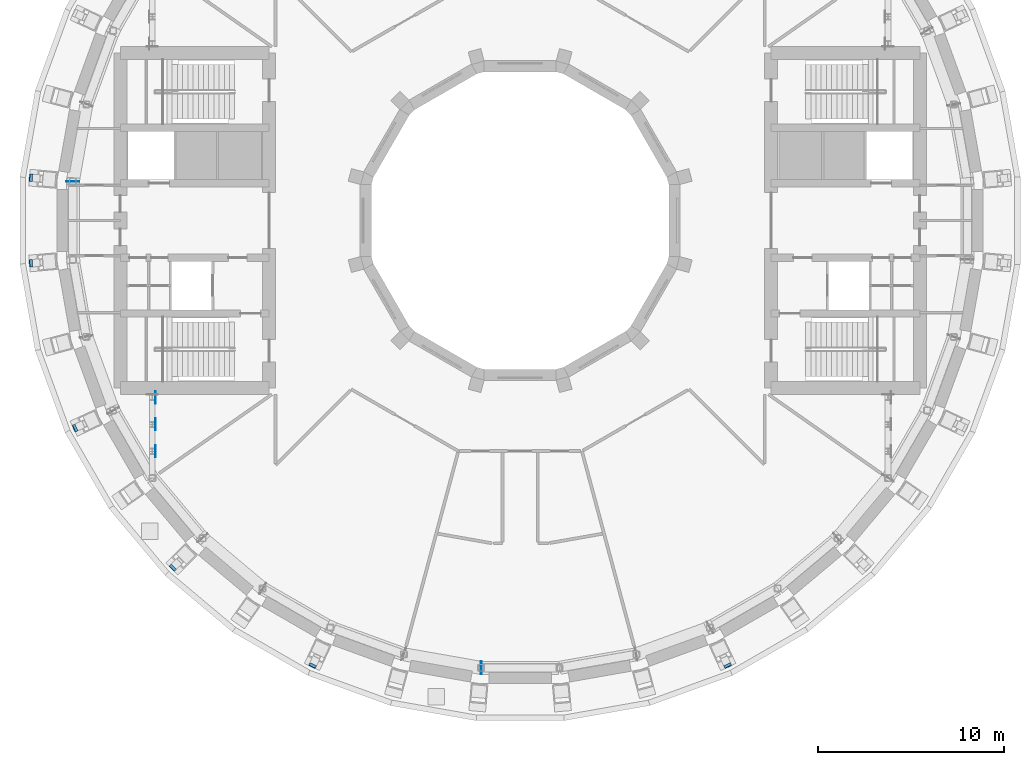
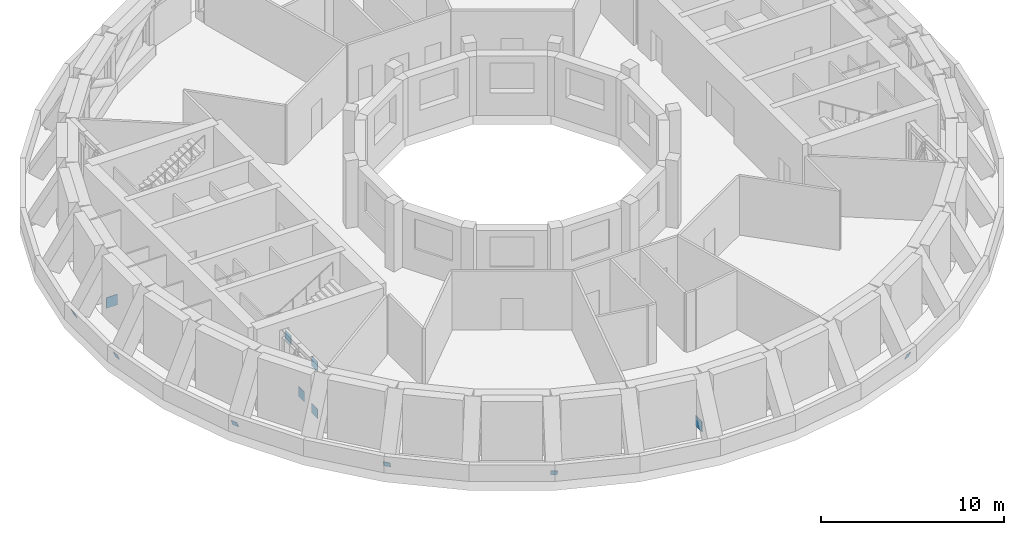
# One storey, part 17 of 20: 12 discrete accessories.
"""IFC4 building model written with IfcOpenShell, lengths in metres."""

from ifc_helpers import new_model, si_unit, direction, frame, origin, origin_2d, place, context, subcontext, project, spatial, rectangle, extrude, material, material_profile, profile_set, type_object, element, save


model = new_model("IFC4")

# Units and contexts
model_context = context("Model", 3, precision=1e-05, world=origin(), true_north=direction((0.0, 1.0)))
body_context = subcontext(model_context, "Body", "Model", "MODEL_VIEW")
ifc_project = project(units=[si_unit("LENGTHUNIT", "METRE"), si_unit("AREAUNIT", "SQUARE_METRE"), si_unit("VOLUMEUNIT", "CUBIC_METRE"), si_unit("PLANEANGLEUNIT", "RADIAN"), si_unit("MASSUNIT", "GRAM", prefix="KILO")], contexts=[model_context])

# Site, building, storey
site_placement = place(None, origin())
site = spatial("IfcSite", under=ifc_project, at=site_placement, CompositionType="ELEMENT")
building_placement = place(site_placement, origin())
building = spatial("IfcBuilding", under=site, at=building_placement, Name="Saqina Gate Tower", CompositionType="ELEMENT")
storey_placement = place(building_placement, frame((0.0, 0.0, 151.300048828125)))
storey = spatial("IfcBuildingStorey", under=building, at=storey_placement, Name="L43", CompositionType="ELEMENT", Elevation=151.300048828125)

# Discrete accessories
ifc_material_1 = material(Name="Steel S460", Category="steel")
ifc_material_profile_1 = material_profile(ifc_material_1, rectangle(XDim=0.39990234375, YDim=0.39990234375, at=origin_2d()), Name="STR-END PLATE-BOX 400x400x30")
ifc_profile_set_1 = profile_set([ifc_material_profile_1], Name="Steel S460")
discrete_accessory_type_1 = type_object("IfcDiscreteAccessoryType", Name="STR-END PLATE-BOX 400x400x30", PredefinedType="USERDEFINED", material=ifc_profile_set_1)
for number, where, z_axis, x_axis, name in (
    (1, (-26.299560546875, 2.301025390625, 0.185302734375), (-0.923688577389, 0.073568116783, -0.376014819114), (0.079394674954, 0.996843260292, -1.9407e-07), "END PLATE NODE TIE BEAM L43 18 FOOT START"),
    (2, (-26.299560546875, -2.301025390625, 0.185302734375), (-0.923688577389, -0.073568116783, -0.376014819114), (-0.079394674954, 0.996843260292, 1.9407e-07), "END PLATE NODE TIE BEAM L43 19 FOOT START"),
):
    element("IfcDiscreteAccessory", number, at=place(storey_placement, frame(where, z_axis=z_axis, x_axis=x_axis)), inside=storey, type_object=discrete_accessory_type_1, Name=name, ObjectType="END PLATE", PredefinedType="USERDEFINED", context=body_context, shape_type="SweptSolid", body=[
        extrude(rectangle(XDim=0.39990234375, YDim=0.39990234375, at=origin_2d()), origin(), (0.0, 0.0, 1.0), 0.02978515625),
    ])
discrete_accessory_1_placement = place(storey_placement, frame((-23.926513671875, -11.1572265625, 0.185302734375), z_axis=(-0.84017969682, -0.391540052887, -0.375225884017), x_axis=(-0.422404035423, 0.906407651588, 1.051573e-06)))
element("IfcDiscreteAccessory", 3, at=discrete_accessory_1_placement, inside=storey, type_object=discrete_accessory_type_1, Name="END PLATE NODE TIE BEAM L43 21 FOOT START", ObjectType="END PLATE", PredefinedType="USERDEFINED", context=body_context, shape_type="SweptSolid", body=[
    extrude(rectangle(XDim=0.39990234375, YDim=0.39990234375, at=origin_2d()), origin(), (0.0, 0.0, 1.0), 0.030029296875),
])
discrete_accessory_2_placement = place(storey_placement, frame((-18.667724609375, -18.667724609375, 0.185302734375), z_axis=(-0.655033934707, -0.655033934707, -0.376644512457), x_axis=(-0.707106781187, 0.707106781187, 0.0)))
element("IfcDiscreteAccessory", 4, at=discrete_accessory_2_placement, inside=storey, type_object=discrete_accessory_type_1, Name="END PLATE NODE TIE BEAM L43 23 FOOT START", ObjectType="END PLATE", PredefinedType="USERDEFINED", context=body_context, shape_type="SweptSolid", body=[
    extrude(rectangle(XDim=0.39990234375, YDim=0.39990234375, at=origin_2d()), origin(), (0.0, 0.0, 1.0), 0.02978515625),
])
for number, where, z_axis, x_axis, name in (
    (5, (-11.1572265625, -23.926513671875, 0.185302734375), (-0.391540052887, -0.84017969682, -0.375225884017), (-0.906407651588, 0.422404035423, -1.051573e-06), "END PLATE NODE TIE BEAM L43 25 FOOT START"),
    (6, (11.1572265625, -23.926513671875, 0.185302734375), (0.391540052887, -0.84017969682, -0.375225884017), (-0.906407651588, -0.422404035423, 1.051573e-06), "END PLATE NODE TIE BEAM L43 30 FOOT START"),
):
    element("IfcDiscreteAccessory", number, at=place(storey_placement, frame(where, z_axis=z_axis, x_axis=x_axis)), inside=storey, type_object=discrete_accessory_type_1, Name=name, ObjectType="END PLATE", PredefinedType="USERDEFINED", context=body_context, shape_type="SweptSolid", body=[
        extrude(rectangle(XDim=0.39990234375, YDim=0.39990234375, at=origin_2d()), origin(), (0.0, 0.0, 1.0), 0.030029296875),
    ])
ifc_material_2 = material(Name="Steel S460", Category="steel")
ifc_material_profile_2 = material_profile(ifc_material_2, rectangle(XDim=0.699951171875, YDim=0.699951171875, at=origin_2d()), Name="STR-END PLATE-BOX 700x700x40")
ifc_profile_set_2 = profile_set([ifc_material_profile_2], Name="Steel S460")
discrete_accessory_type_2 = type_object("IfcDiscreteAccessoryType", Name="STR-END PLATE-BOX 700x700x40", PredefinedType="USERDEFINED", material=ifc_profile_set_2)
for number, where, z_axis, x_axis, name in (
    (7, (-24.05810546875, 2.07421875, 0.349853515625), (0.0, 1.0, 0.0), (1.0, 0.0, 0.0), "END PLATE BELT TRUSS L43 CHORD 040 START"),
    (8, (-2.07421875, -24.05810546875, 0.349853515625), (-1.0, 0.0, 0.0), (0.0, 1.0, 0.0), "END PLATE BELT TRUSS L43 CHORD 061 START"),
):
    element("IfcDiscreteAccessory", number, at=place(storey_placement, frame(where, z_axis=z_axis, x_axis=x_axis)), inside=storey, type_object=discrete_accessory_type_2, Name=name, ObjectType="END PLATE", PredefinedType="USERDEFINED", context=body_context, shape_type="SweptSolid", body=[
        extrude(rectangle(XDim=0.699951171875, YDim=0.699951171875, at=origin_2d()), origin(), (0.0, 0.0, 1.0), 0.0400390625),
    ])
ifc_material_3 = material(Name="Steel S460", Category="steel")
ifc_material_profile_3 = material_profile(ifc_material_3, rectangle(XDim=0.64990234375, YDim=0.64990234375, at=origin_2d()), Name="STR-END PLATE-GUSSET 650x650x20")
ifc_profile_set_3 = profile_set([ifc_material_profile_3], Name="Steel S460")
discrete_accessory_type_3 = type_object("IfcDiscreteAccessoryType", Name="STR-END PLATE-GUSSET 650x650x20", PredefinedType="USERDEFINED", material=ifc_profile_set_3)
for number, where, z_axis, x_axis, name in (
    (9, (-19.62744140625, -12.4072265625, 0.261962890625), (1.0, 0.0, 0.0), (0.0, 1.0, 0.0), "GUSSET PLATE OUTRIGGER TRUSS L43 CHORD 153"),
    (10, (-19.629638671875, -9.51806640625, 3.426025390625), (1.0, 0.0, 0.0), (0.0, 1.0, 0.0), "GUSSET PLATE OUTRIGGER TRUSS L43 POST 157"),
    (11, (-19.629638671875, -10.962646484375, 0.52392578125), (1.0, 0.0, 0.0), (0.0, 1.0, 0.0), "GUSSET PLATE OUTRIGGER TRUSS L43 POST 158"),
    (12, (-19.629638671875, -12.4072265625, 3.426025390625), (1.0, 0.0, 0.0), (0.0, 1.0, 0.0), "GUSSET PLATE OUTRIGGER TRUSS L43 POST 159"),
):
    element("IfcDiscreteAccessory", number, at=place(storey_placement, frame(where, z_axis=z_axis, x_axis=x_axis)), inside=storey, type_object=discrete_accessory_type_3, Name=name, ObjectType="GUSSET PLATE", PredefinedType="USERDEFINED", context=body_context, shape_type="SweptSolid", body=[
        extrude(rectangle(XDim=0.64990234375, YDim=0.64990234375, at=origin_2d()), origin(), (0.0, 0.0, 1.0), 0.02001953125),
    ])

save(model, "model.ifc")
